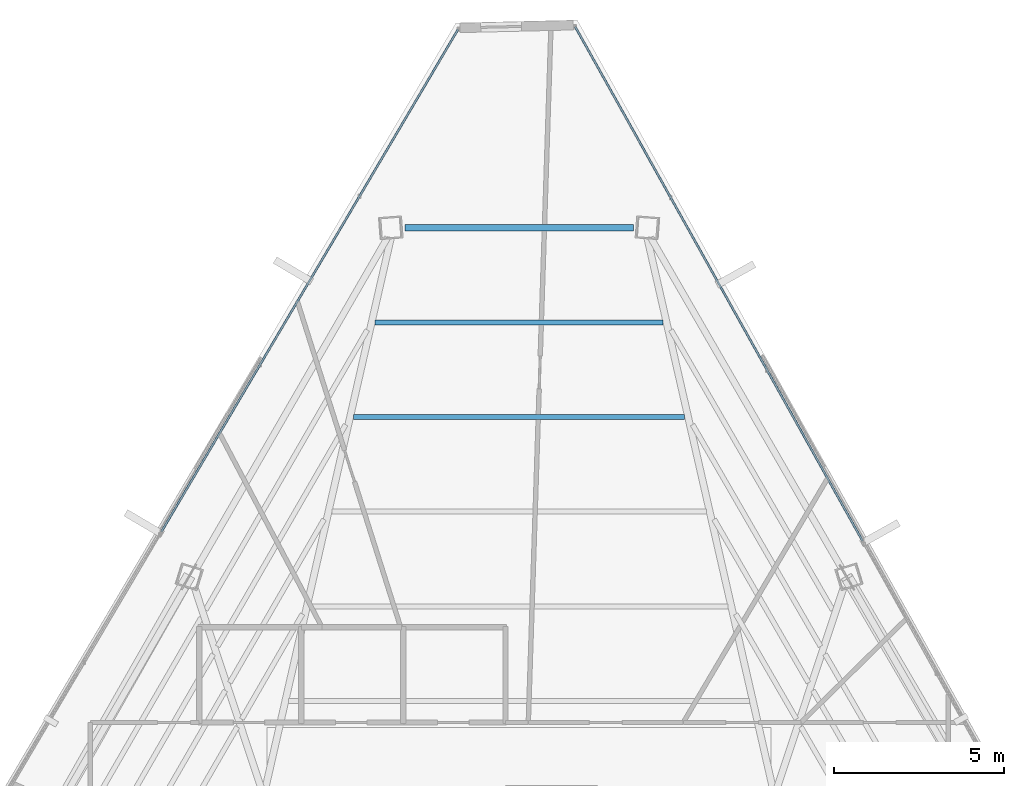
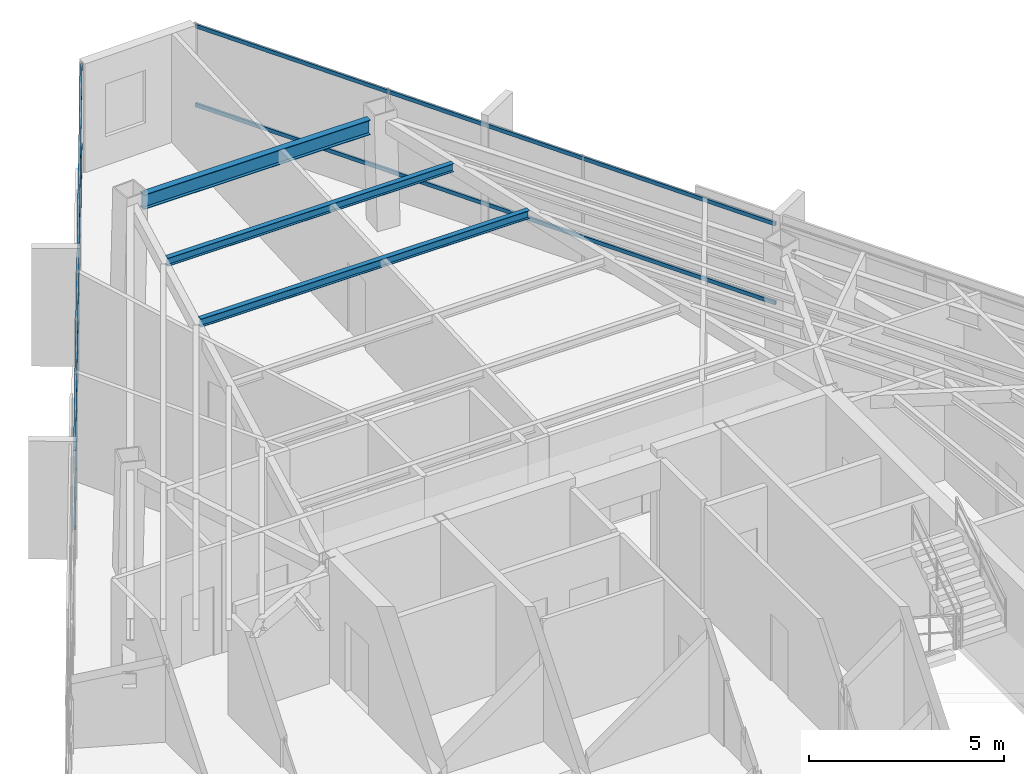
# One storey, part 33 of 44: 4 members, 3 beams, 2 elements without a shape of their own.
"""IFC4 building model written with IfcOpenShell, lengths in metres."""

import ifcopenshell
import ifcopenshell.guid

model = None  # the IFC model being written
_history = None  # IfcOwnerHistory: only IFC2X3 demands one
_inside = {}  # id of a spatial element -> (the spatial element, [elements in it])
_under = {}  # id of a project, library or spatial element -> (it, [spatial elements below it])
_declared = {}  # id of a project -> (the project, [libraries it declares])
_typed = {}  # id of a type object -> (the type object, [elements of that type])
_made_of = {}  # id of a material, layer set ... -> (it, [elements and type objects made of it])


def new_model(schema):
    """Start an empty IFC model of exactly this schema.

    Asked for "IFC4X3", IfcOpenShell would pick the latest addendum, in which some entities
    have other attributes; the version numbers below select the first issue.
    IFC2X3 requires an IfcOwnerHistory on every rooted entity: one is made here for all.
    """
    global model, _history
    if schema == "IFC4X3":
        model = ifcopenshell.file(schema_version=(4, 3, 0, 0))
    else:
        model = ifcopenshell.file(schema=schema)
    _inside.clear()
    _under.clear()
    _declared.clear()
    _typed.clear()
    _made_of.clear()
    _history = None
    if model.schema == "IFC2X3":
        org = make("IfcOrganization", Name="unknown")
        user = make(
            "IfcPersonAndOrganization",
            ThePerson=make("IfcPerson", FamilyName="unknown"),
            TheOrganization=org,
        )
        app = make(
            "IfcApplication",
            ApplicationDeveloper=org,
            Version="unknown",
            ApplicationFullName="unknown",
            ApplicationIdentifier="unknown",
        )
        _history = make(
            "IfcOwnerHistory",
            OwningUser=user,
            OwningApplication=app,
            ChangeAction="ADDED",
            CreationDate=0,
        )
    return model


def make(cls, **values):
    """One entity of the class cls with the attributes given. An attribute that is None is left unset."""
    return model.create_entity(
        cls, **{name: value for name, value in values.items() if value is not None}
    )


def rooted(cls, **values):
    """An entity with a GlobalId (a new one), such as an element, a storey or a relation."""
    return make(cls, GlobalId=ifcopenshell.guid.new(), OwnerHistory=_history, **values)


def si_unit(unit_type, name, prefix=None):
    """IfcSIUnit, for example si_unit("LENGTHUNIT", "METRE", prefix="MILLI")."""
    return make("IfcSIUnit", UnitType=unit_type, Prefix=prefix, Name=name)


def assignment(units):
    """IfcUnitAssignment: the units of a project."""
    return None if units is None else make("IfcUnitAssignment", Units=units)


def point(xyz):
    """IfcCartesianPoint."""
    return None if xyz is None else make("IfcCartesianPoint", Coordinates=xyz)


def direction(xyz):
    """IfcDirection."""
    return None if xyz is None else make("IfcDirection", DirectionRatios=xyz)


def frame(location, z_axis=None, x_axis=None):
    """IfcAxis2Placement3D, a coordinate frame: its origin and axes. An axis left out is left unset."""
    return make(
        "IfcAxis2Placement3D",
        Location=point(location),
        Axis=direction(z_axis),
        RefDirection=direction(x_axis),
    )


def frame_2d(location, x_axis=None):
    """IfcAxis2Placement2D, a coordinate frame in the plane: its origin and x axis."""
    return make(
        "IfcAxis2Placement2D", Location=point(location), RefDirection=direction(x_axis)
    )


def origin():
    """The frame at (0, 0, 0) with its axes left unset."""
    return frame((0.0, 0.0, 0.0))


def origin_2d():
    """The frame at (0, 0) in the plane with its x axis left unset."""
    return frame_2d((0.0, 0.0))


def place(relative_to, where):
    """IfcLocalPlacement: puts the frame where relative to a parent placement (None: the world)."""
    return make(
        "IfcLocalPlacement", PlacementRelTo=relative_to, RelativePlacement=where
    )


def context(
    kind, dimensions, precision=None, world=None, true_north=None, identifier=None
):
    """IfcGeometricRepresentationContext, for example the 3D "Model" context."""
    return make(
        "IfcGeometricRepresentationContext",
        ContextIdentifier=identifier,
        ContextType=kind,
        CoordinateSpaceDimension=dimensions,
        Precision=precision,
        WorldCoordinateSystem=world,
        TrueNorth=true_north,
    )


def subcontext(parent, identifier, kind, view, scale=None):
    """IfcGeometricRepresentationSubContext, for example "Body" below "Model"."""
    return make(
        "IfcGeometricRepresentationSubContext",
        ContextIdentifier=identifier,
        ContextType=kind,
        ParentContext=parent,
        TargetScale=scale,
        TargetView=view,
    )


def project(units=None, contexts=None):
    """IfcProject with its units and contexts."""
    return rooted(
        "IfcProject",
        Name="project",
        RepresentationContexts=contexts,
        UnitsInContext=assignment(units),
    )


def spatial(cls, under=None, at=None, **own):
    """A site, building, storey or space (cls), placed at a placement, below another one or the project."""
    s = rooted(cls, ObjectPlacement=at, **own)
    if under is not None:
        _under.setdefault(under.id(), (under, []))[1].append(s)
    return s


def profile(cls, at=None, kind="AREA", **sizes):
    """A parametric profile (cls). Its sizes go by their IFC names, for example OverallWidth=200.0."""
    return make(cls, ProfileType=kind, Position=at, **sizes)


def hollow_rectangle(**sizes):
    """IfcRectangleHollowProfileDef."""
    return profile("IfcRectangleHollowProfileDef", **sizes)


def i_section(**sizes):
    """IfcIShapeProfileDef."""
    return profile("IfcIShapeProfileDef", **sizes)


def extrude(swept, where, along, depth):
    """IfcExtrudedAreaSolid: the profile swept, set in the frame where, extruded along a direction by depth."""
    return make(
        "IfcExtrudedAreaSolid",
        SweptArea=swept,
        Position=where,
        ExtrudedDirection=direction(along),
        Depth=depth,
    )


def shape(context_of_items, identifier, shape_type, items):
    """IfcShapeRepresentation: the items that make up one representation, for example the "Body"."""
    return make(
        "IfcShapeRepresentation",
        ContextOfItems=context_of_items,
        RepresentationIdentifier=identifier,
        RepresentationType=shape_type,
        Items=items,
    )


def source(mapping_origin, context_of_items, identifier, shape_type, items):
    """IfcRepresentationMap: a shape defined once, which mapped items show again and again."""
    return make(
        "IfcRepresentationMap",
        MappingOrigin=mapping_origin,
        MappedRepresentation=shape(context_of_items, identifier, shape_type, items),
    )


def transform(
    local_origin,
    x_axis=None,
    y_axis=None,
    z_axis=None,
    scale=None,
    scale2=None,
    scale3=None,
    uniform=True,
):
    """IfcCartesianTransformationOperator3D, or its non-uniform kind. x_axis, y_axis, z_axis: its Axis1, 2, 3."""
    if uniform:
        return make(
            "IfcCartesianTransformationOperator3D",
            Axis1=direction(x_axis),
            Axis2=direction(y_axis),
            LocalOrigin=point(local_origin),
            Scale=scale,
            Axis3=direction(z_axis),
        )
    return make(
        "IfcCartesianTransformationOperator3DnonUniform",
        Axis1=direction(x_axis),
        Axis2=direction(y_axis),
        LocalOrigin=point(local_origin),
        Scale=scale,
        Axis3=direction(z_axis),
        Scale2=scale2,
        Scale3=scale3,
    )


def mapped(mapping_source, mapping_target):
    """IfcMappedItem: shows the shape of a source again, moved by a transform."""
    return make(
        "IfcMappedItem", MappingSource=mapping_source, MappingTarget=mapping_target
    )


def material(Name=None, Category=None):
    """IfcMaterial."""
    return make("IfcMaterial", Name=Name, Category=Category)


def material_profile(
    of_material, cross_section, Name=None, Category=None, Priority=None
):
    """IfcMaterialProfile: a cross section and its material."""
    return make(
        "IfcMaterialProfile",
        Name=Name,
        Material=of_material,
        Profile=cross_section,
        Priority=Priority,
        Category=Category,
    )


def profile_set(profiles, Name=None, composite=None):
    """IfcMaterialProfileSet."""
    return make(
        "IfcMaterialProfileSet",
        Name=Name,
        MaterialProfiles=profiles,
        CompositeProfile=composite,
    )


def made_of(thing, what):
    """Note that an element or type object is made of a material, layer set ...; save() writes the relation."""
    if what is not None:
        _made_of.setdefault(what.id(), (what, []))[1].append(thing)
    return thing


def type_object(cls, material=None, **own):
    """A type object (cls), such as IfcWallType, which elements share."""
    return made_of(rooted(cls, **own), material)


def type_shapes(of_type, sources):
    """Give a type object the sources (RepresentationMaps) that its elements show as mapped items."""
    of_type.RepresentationMaps = sources


def element(
    cls,
    number,
    at=None,
    inside=None,
    cuts=None,
    type_object=None,
    material=None,
    context=None,
    identifier="Body",
    shape_type=None,
    held_by="IfcProductDefinitionShape",
    body=None,
    shapes=None,
    **own,
):
    """One element of the class cls, such as IfcWall. Its Tag is "e" and its number.

    at: its placement. inside: the storey or other place that contains it. cuts: it is an
    opening in that element (IfcRelVoidsElement). A single representation is given by context,
    identifier, shape_type and body (its items); several are given by shapes. held_by: the class
    of the entity that holds the representations. save() writes the other relations.
    """
    e = rooted(cls, Tag="e%d" % number, ObjectPlacement=at, **own)
    if body is not None:
        shapes = [shape(context, identifier, shape_type, body)]
    if shapes is not None:
        e.Representation = make(held_by, Representations=shapes)
    if inside is not None:
        _inside.setdefault(inside.id(), (inside, []))[1].append(e)
    if cuts is not None:
        rooted(
            "IfcRelVoidsElement", RelatingBuildingElement=cuts, RelatedOpeningElement=e
        )
    if type_object is not None:
        _typed.setdefault(type_object.id(), (type_object, []))[1].append(e)
    return made_of(e, material)


def aggregate(whole, parts):
    """IfcRelAggregates: a whole, such as a stair, and the parts it consists of."""
    return rooted("IfcRelAggregates", RelatingObject=whole, RelatedObjects=parts)


def save(model, path):
    """Write the relations noted so far, then the file.

    IfcRelAggregates (storeys below a building ...), IfcRelContainedInSpatialStructure (elements
    in a storey), IfcRelDefinesByType, IfcRelAssociatesMaterial and IfcRelDeclares: one each for
    every whole, place, type object, material and project.
    """
    for whole, parts in _under.values():
        aggregate(whole, parts)
    for where, things in _inside.values():
        rooted(
            "IfcRelContainedInSpatialStructure",
            RelatedElements=things,
            RelatingStructure=where,
        )
    for kind, things in _typed.values():
        rooted("IfcRelDefinesByType", RelatedObjects=things, RelatingType=kind)
    for what, things in _made_of.values():
        rooted("IfcRelAssociatesMaterial", RelatedObjects=things, RelatingMaterial=what)
    for by, libraries in _declared.values():
        rooted("IfcRelDeclares", RelatingContext=by, RelatedDefinitions=libraries)
    model.write(path)


model = new_model("IFC4")

# Units and contexts
model_context = context("Model", 3, precision=1e-05, world=origin(), true_north=direction((0.0, 1.0)))
body_context = subcontext(model_context, "Body", "Model", "MODEL_VIEW")
ifc_project = project(units=[si_unit("LENGTHUNIT", "METRE"), si_unit("AREAUNIT", "SQUARE_METRE"), si_unit("VOLUMEUNIT", "CUBIC_METRE"), si_unit("PLANEANGLEUNIT", "RADIAN"), si_unit("MASSUNIT", "GRAM", prefix="KILO")], contexts=[model_context])

# Site, building, storey
site_placement = place(None, origin())
site = spatial("IfcSite", under=ifc_project, at=site_placement, CompositionType="ELEMENT")
building_placement = place(site_placement, origin())
building = spatial("IfcBuilding", under=site, at=building_placement, Name="Caelisora Broadcast Tower", CompositionType="ELEMENT")
storey_placement = place(building_placement, frame((0.0, 0.0, 259.050048828125)))
storey = spatial("IfcBuildingStorey", under=building, at=storey_placement, Name="L68", CompositionType="ELEMENT", Elevation=259.050048828125)

# Beams
ifc_material_1 = material(Name="Steel Grade 350 (AS/NZS 3679.1)", Category="steel")
ifc_material_profile_1 = material_profile(ifc_material_1, i_section(OverallWidth=0.19091796875, OverallDepth=0.46044921875, WebThickness=0.010009765625, FlangeThickness=0.01611328125, at=origin_2d()), Name="Steel Grade 350 (AS/NZS 3679.1)")
ifc_profile_set_1 = profile_set([ifc_material_profile_1], Name="Steel Grade 350 (AS/NZS 3679.1)")
beam_type_1 = type_object("IfcBeamType", Name="PG06", PredefinedType="BEAM", material=ifc_profile_set_1)
shared_shape_1 = source(origin(), body_context, "Body", "SweptSolid", [
    extrude(i_section(OverallWidth=0.19091796875, OverallDepth=0.46044921875, WebThickness=0.010009765625, FlangeThickness=0.01611328125, at=origin_2d()), origin(), (0.0, 0.0, 1.0), 6.71484375),
])
type_shapes(beam_type_1, [shared_shape_1])
beam_1_placement = place(storey_placement, frame((41.357421875, 46.685791015625, 3.169677734375), z_axis=(-1.0, 0.0, 0.0), x_axis=(0.0, -1.0, 0.0)))
element("IfcBeam", 1, at=beam_1_placement, inside=storey, type_object=beam_type_1, Name="L68 beam PG06", PredefinedType="BEAM", context=body_context, shape_type="MappedRepresentation", body=[
    mapped(shared_shape_1, transform((0.0, 0.0, 0.0), scale=1.0)),
])
ifc_material_profile_2 = material_profile(ifc_material_1, i_section(OverallWidth=0.14599609375, OverallDepth=0.256103515625, WebThickness=0.00634765625, FlangeThickness=0.010986328125, at=origin_2d()), Name="Steel Grade 350 (AS/NZS 3679.1)")
ifc_profile_set_2 = profile_set([ifc_material_profile_2], Name="Steel Grade 350 (AS/NZS 3679.1)")
beam_type_2 = type_object("IfcBeamType", Name="SB04", PredefinedType="JOIST", material=ifc_profile_set_2)
shared_shape_2 = source(origin(), body_context, "Body", "SweptSolid", [
    extrude(i_section(OverallWidth=0.14599609375, OverallDepth=0.256103515625, WebThickness=0.00634765625, FlangeThickness=0.010986328125, at=origin_2d()), origin(), (0.0, 0.0, 1.0), 9.72802734375),
])
beam_2_placement = place(storey_placement, frame((42.864013671875, 41.123779296875, 3.27197265625), z_axis=(-1.0, 0.0, 0.0), x_axis=(0.0, -1.0, 0.0)))
element("IfcBeam", 2, at=beam_2_placement, inside=storey, type_object=beam_type_2, Name="L68 beam SB04", PredefinedType="JOIST", context=body_context, shape_type="MappedRepresentation", body=[
    mapped(shared_shape_2, transform((0.0, 0.0, 0.0), scale=1.0)),
])
shared_shape_3 = source(origin(), body_context, "Body", "SweptSolid", [
    extrude(i_section(OverallWidth=0.14599609375, OverallDepth=0.256103515625, WebThickness=0.00634765625, FlangeThickness=0.010986328125, at=origin_2d()), origin(), (0.0, 0.0, 1.0), 8.4599609375),
])
type_shapes(beam_type_2, [shared_shape_2, shared_shape_3])
beam_3_placement = place(storey_placement, frame((42.22998046875, 43.90478515625, 3.27197265625), z_axis=(-1.0, 0.0, 0.0), x_axis=(0.0, -1.0, 0.0)))
element("IfcBeam", 3, at=beam_3_placement, inside=storey, type_object=beam_type_2, Name="L68 beam SB04", PredefinedType="JOIST", context=body_context, shape_type="MappedRepresentation", body=[
    mapped(shared_shape_3, transform((0.0, 0.0, 0.0), scale=1.0)),
])

# Curtain wall, members
ifc_material_2 = material(Name="Unitised Aluminium and Low-E Glass Curtain Wall", Category="glass")
curtain_wall_type = type_object("IfcCurtainWallType", Name="CW-Z5", PredefinedType="NOTDEFINED", material=ifc_material_2)
curtain_wall_1_placement = place(storey_placement, origin())
curtain_wall_1 = element("IfcCurtainWall", 4, at=curtain_wall_1_placement, inside=storey, type_object=curtain_wall_type, Name="L68 curtain wall CW-Z5", PredefinedType="NOTDEFINED")
ifc_material_3 = material(Name="Aluminium 6063-T6 Anodised Terracotta Bronze", Category="aluminium")
ifc_material_profile_3 = material_profile(ifc_material_3, hollow_rectangle(XDim=0.06005859375, YDim=0.1201171875, WallThickness=0.0029296875, at=origin_2d()), Name="Aluminium 6063-T6 Anodised Terracotta Bronze")
ifc_profile_set_3 = profile_set([ifc_material_profile_3], Name="Aluminium 6063-T6 Anodised Terracotta Bronze")
member_type = type_object("IfcMemberType", Name="CWT-03", PredefinedType="USERDEFINED", material=ifc_profile_set_3)
shared_shape_4 = source(origin(), body_context, "Body", "SweptSolid", [
    extrude(hollow_rectangle(XDim=0.06005859375, YDim=0.1201171875, WallThickness=0.0029296875, at=origin_2d()), origin(), (0.0, 0.0, 1.0), 17.301025390625),
])
member_1_placement = place(storey_placement, frame((39.6455078125, 52.58642578125, 0.849853515625), z_axis=(0.487872276822, -0.872915025365, 0.0), x_axis=(0.872915025365, 0.487872276822, 0.0)))
member_1 = element("IfcMember", 5, at=member_1_placement, type_object=member_type, Name="L68-CW-B01 transom #1", ObjectType="TRANSOM", PredefinedType="USERDEFINED", context=body_context, shape_type="MappedRepresentation", body=[
    mapped(shared_shape_4, transform((0.0, 0.0, 0.0), scale=1.0)),
])
member_2_placement = place(storey_placement, frame((39.6455078125, 52.58642578125, 3.320068359375), z_axis=(0.487872276822, -0.872915025365, 0.0), x_axis=(0.872915025365, 0.487872276822, 0.0)))
member_2 = element("IfcMember", 6, at=member_2_placement, type_object=member_type, Name="L68-CW-B01 transom #2", ObjectType="TRANSOM", PredefinedType="USERDEFINED", context=body_context, shape_type="MappedRepresentation", body=[
    mapped(shared_shape_4, transform((0.0, 0.0, 0.0), scale=1.0)),
])
aggregate(curtain_wall_1, [member_1, member_2])

curtain_wall_2_placement = place(storey_placement, origin())
curtain_wall_2 = element("IfcCurtainWall", 7, at=curtain_wall_2_placement, inside=storey, type_object=curtain_wall_type, Name="L68 curtain wall CW-Z5", PredefinedType="NOTDEFINED")
shared_shape_5 = source(origin(), body_context, "Body", "SweptSolid", [
    extrude(hollow_rectangle(XDim=0.06005859375, YDim=0.1201171875, WallThickness=0.0029296875, at=origin_2d()), origin(), (0.0, 0.0, 1.0), 17.13232421875),
])
type_shapes(member_type, [shared_shape_4, shared_shape_5])
member_3_placement = place(storey_placement, frame((27.49609375, 37.754638671875, 0.849853515625), z_axis=(0.508479157541, 0.861074297809, 0.0), x_axis=(-0.861074297809, 0.508479157541, 0.0)))
member_3 = element("IfcMember", 8, at=member_3_placement, type_object=member_type, Name="L68-CW-B11 transom #1", ObjectType="TRANSOM", PredefinedType="USERDEFINED", context=body_context, shape_type="MappedRepresentation", body=[
    mapped(shared_shape_5, transform((0.0, 0.0, 0.0), scale=1.0)),
])
member_4_placement = place(storey_placement, frame((27.49609375, 37.754638671875, 3.320068359375), z_axis=(0.508479157541, 0.861074297809, 0.0), x_axis=(-0.861074297809, 0.508479157541, 0.0)))
member_4 = element("IfcMember", 9, at=member_4_placement, type_object=member_type, Name="L68-CW-B11 transom #2", ObjectType="TRANSOM", PredefinedType="USERDEFINED", context=body_context, shape_type="MappedRepresentation", body=[
    mapped(shared_shape_5, transform((0.0, 0.0, 0.0), scale=1.0)),
])
aggregate(curtain_wall_2, [member_3, member_4])

save(model, "model.ifc")
